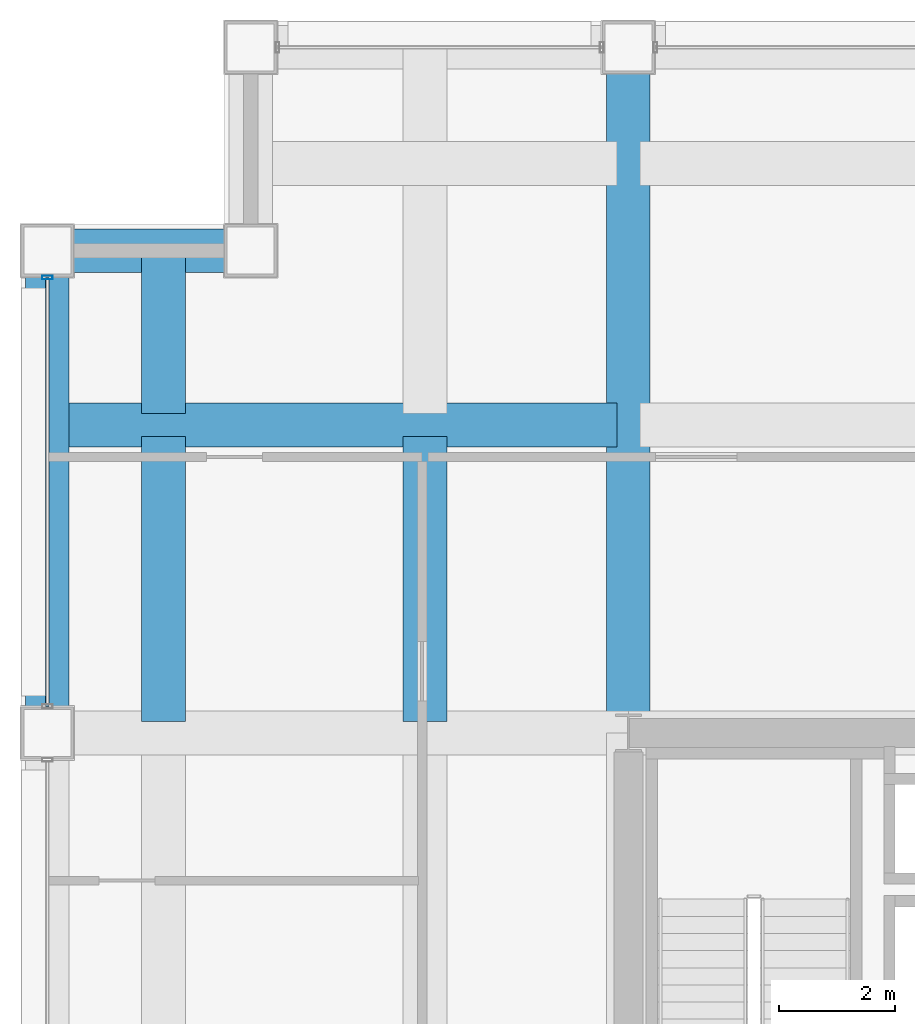
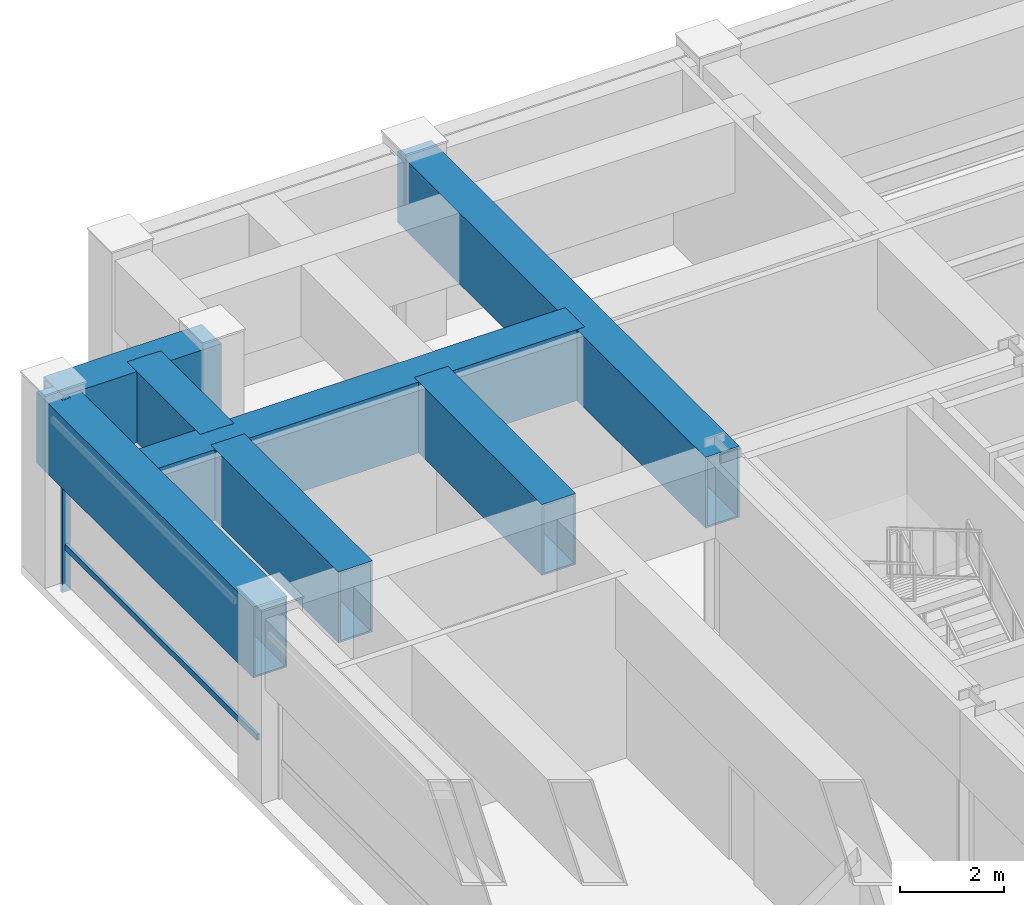
# One storey, part 17 of 29: 7 beams, 2 members, 1 element without a shape of its own.
"""IFC4 building model written with IfcOpenShell, lengths in metres."""

from ifc_helpers import new_model, si_unit, direction, frame, origin, origin_2d, place, context, subcontext, project, spatial, hollow_rectangle, extrude, material, layer, layer_set, material_profile, profile_set, type_object, element, aggregate, save


model = new_model("IFC4")

# Units and contexts
model_context = context("Model", 3, precision=1e-05, world=origin(), true_north=direction((0.0, 1.0)))
body_context = subcontext(model_context, "Body", "Model", "MODEL_VIEW")
ifc_project = project(units=[si_unit("LENGTHUNIT", "METRE"), si_unit("AREAUNIT", "SQUARE_METRE"), si_unit("VOLUMEUNIT", "CUBIC_METRE"), si_unit("PLANEANGLEUNIT", "RADIAN"), si_unit("MASSUNIT", "GRAM", prefix="KILO")], contexts=[model_context])

# Site, building, storey
site_placement = place(None, origin())
site = spatial("IfcSite", under=ifc_project, at=site_placement, CompositionType="ELEMENT")
building_placement = place(site_placement, origin())
building = spatial("IfcBuilding", under=site, at=building_placement, Name="Brelmoor Portico Tower", CompositionType="ELEMENT")
storey_placement = place(building_placement, frame((0.0, 0.0, 82.800048828125)))
storey = spatial("IfcBuildingStorey", under=building, at=storey_placement, Name="L21", CompositionType="ELEMENT", Elevation=82.800048828125)

# Beams
ifc_material_1 = material(Name="Steel Q355B", Category="steel")
ifc_material_profile_1 = material_profile(ifc_material_1, hollow_rectangle(XDim=0.75, YDim=1.659912109375, WallThickness=0.0419921875, at=origin_2d()), Name="BOX 750x1660x42")
ifc_profile_set_1 = profile_set([ifc_material_profile_1], Name="Steel Q355B")
beam_type = type_object("IfcBeamType", Name="BM-TG-Z2", PredefinedType="BEAM", material=ifc_profile_set_1)
beam_1_placement = place(storey_placement, frame((-24.550048828125, 18.050048828125, 3.469970703125), z_axis=(1.0, 0.0, 0.0), x_axis=(0.0, 1.0, 0.0)))
element("IfcBeam", 1, at=beam_1_placement, inside=storey, type_object=beam_type, Name="L21 Perimeter Transfer Beam SP-08", PredefinedType="BEAM", context=body_context, shape_type="SweptSolid", body=[
    extrude(hollow_rectangle(XDim=0.75, YDim=1.659912109375, WallThickness=0.0419921875, at=origin_2d()), origin(), (0.0, 0.0, 1.0), 3.5),
])
beam_2_placement = place(storey_placement, frame((-24.550048828125, 9.75, 3.469970703125), z_axis=(0.0, 1.0, 0.0), x_axis=(-1.0, 0.0, 0.0)))
element("IfcBeam", 2, at=beam_2_placement, inside=storey, type_object=beam_type, Name="L21 Perimeter Transfer Beam SP-17", PredefinedType="BEAM", context=body_context, shape_type="SweptSolid", body=[
    extrude(hollow_rectangle(XDim=0.75, YDim=1.659912109375, WallThickness=0.0419921875, at=origin_2d()), origin(), (0.0, 0.0, 1.0), 8.300048828125),
])
beam_3_placement = place(storey_placement, frame((-14.550048828125, 9.75, 3.469970703125), z_axis=(0.0, 1.0, 0.0), x_axis=(-1.0, 0.0, 0.0)))
element("IfcBeam", 3, at=beam_3_placement, inside=storey, type_object=beam_type, Name="L21 Setback Transfer Girder PG-06", PredefinedType="BEAM", context=body_context, shape_type="SweptSolid", body=[
    extrude(hollow_rectangle(XDim=0.75, YDim=1.659912109375, WallThickness=0.0419921875, at=origin_2d()), origin(), (0.0, 0.0, 1.0), 11.800048828125),
])
beam_4_placement = place(storey_placement, frame((-24.550048828125, 15.050048828125, 3.469970703125), z_axis=(1.0, 0.0, 0.0), x_axis=(0.0, 1.0, 0.0)))
element("IfcBeam", 4, at=beam_4_placement, inside=storey, type_object=beam_type, Name="L21 Setback Transfer Girder TGN-16", PredefinedType="BEAM", context=body_context, shape_type="SweptSolid", body=[
    extrude(hollow_rectangle(XDim=0.75, YDim=1.659912109375, WallThickness=0.0419921875, at=origin_2d()), origin(), (0.0, 0.0, 1.0), 9.800048828125),
])
for number, where, z_axis, x_axis, name in (
    (5, (-18.050048828125, 9.949951171875, 3.469970703125), (0.0, 1.0, 0.0), (-1.0, 0.0, 0.0), "L21 Setback Transfer Girder TGN-24"),
    (6, (-22.550048828125, 9.949951171875, 3.469970703125), (0.0, 1.0, 0.0), (-1.0, 0.0, 0.0), "L21 Setback Transfer Girder TGN-34"),
):
    element("IfcBeam", number, at=place(storey_placement, frame(where, z_axis=z_axis, x_axis=x_axis)), inside=storey, type_object=beam_type, Name=name, PredefinedType="BEAM", context=body_context, shape_type="SweptSolid", body=[
        extrude(hollow_rectangle(XDim=0.75, YDim=1.659912109375, WallThickness=0.0419921875, at=origin_2d()), origin(), (0.0, 0.0, 1.0), 4.900146484375),
    ])
beam_5_placement = place(storey_placement, frame((-22.550048828125, 15.25, 3.469970703125), z_axis=(0.0, 1.0, 0.0), x_axis=(-1.0, 0.0, 0.0)))
element("IfcBeam", 7, at=beam_5_placement, inside=storey, type_object=beam_type, Name="L21 Setback Transfer Girder TGN-35", PredefinedType="BEAM", context=body_context, shape_type="SweptSolid", body=[
    extrude(hollow_rectangle(XDim=0.75, YDim=1.659912109375, WallThickness=0.0419921875, at=origin_2d()), origin(), (0.0, 0.0, 1.0), 2.800048828125),
])

# Curtain wall, members
ifc_material_2 = material(Name="Anodised Aluminium Alloy 6063-T6", Category="aluminium")
ifc_layer = layer(ifc_material_2, 0.179931640625)
ifc_layer_set = layer_set([ifc_layer], Name="Anodised Aluminium Alloy 6063-T6")
curtain_wall_type = type_object("IfcCurtainWallType", Name="CW-TOWER-Z1", PredefinedType="NOTDEFINED", material=ifc_layer_set)
curtain_wall_placement = place(storey_placement, origin())
curtain_wall = element("IfcCurtainWall", 8, at=curtain_wall_placement, inside=storey, type_object=curtain_wall_type, Name="L21 Curtain Wall CW-L21-03-3", PredefinedType="NOTDEFINED")
ifc_material_profile_2 = material_profile(ifc_material_2, hollow_rectangle(XDim=0.06494140625, YDim=0.179931640625, WallThickness=0.00390625, at=origin_2d()), Name="ALU MULLION 65x180")
ifc_profile_set_2 = profile_set([ifc_material_profile_2], Name="Anodised Aluminium Alloy 6063-T6")
member_type_1 = type_object("IfcMemberType", Name="MB-CW-MULL-180", PredefinedType="MULLION", material=ifc_profile_set_2)
member_1_placement = place(storey_placement, frame((-24.550048828125, 17.590087890625, -0.199951171875), z_axis=(0.0, 0.0, 1.0), x_axis=(0.0, 1.0, 0.0)))
member_1 = element("IfcMember", 9, at=member_1_placement, type_object=member_type_1, Name="CW-L21-03-3 Mullion 01", PredefinedType="MULLION", context=body_context, shape_type="SweptSolid", body=[
    extrude(hollow_rectangle(XDim=0.06494140625, YDim=0.179931640625, WallThickness=0.00390625, at=origin_2d()), origin(), (0.0, 0.0, 1.0), 4.5),
])
ifc_material_profile_3 = material_profile(ifc_material_2, hollow_rectangle(XDim=0.06494140625, YDim=0.139892578125, WallThickness=0.00390625, at=origin_2d()), Name="ALU TRANSOM 65x140")
ifc_profile_set_3 = profile_set([ifc_material_profile_3], Name="Anodised Aluminium Alloy 6063-T6")
member_type_2 = type_object("IfcMemberType", Name="MB-CW-TRAN-140", PredefinedType="USERDEFINED", material=ifc_profile_set_3)
member_2_placement = place(storey_placement, frame((-24.550048828125, 10.2099609375, 0.849853515625), z_axis=(0.0, 1.0, 0.0), x_axis=(-1.0, 0.0, 0.0)))
member_2 = element("IfcMember", 10, at=member_2_placement, type_object=member_type_2, Name="CW-L21-03-3 Transom 1-00", ObjectType="TRANSOM", PredefinedType="USERDEFINED", context=body_context, shape_type="SweptSolid", body=[
    extrude(hollow_rectangle(XDim=0.06494140625, YDim=0.139892578125, WallThickness=0.00390625, at=origin_2d()), origin(), (0.0, 0.0, 1.0), 7.380126953125),
])
aggregate(curtain_wall, [member_1, member_2])

save(model, "model.ifc")
